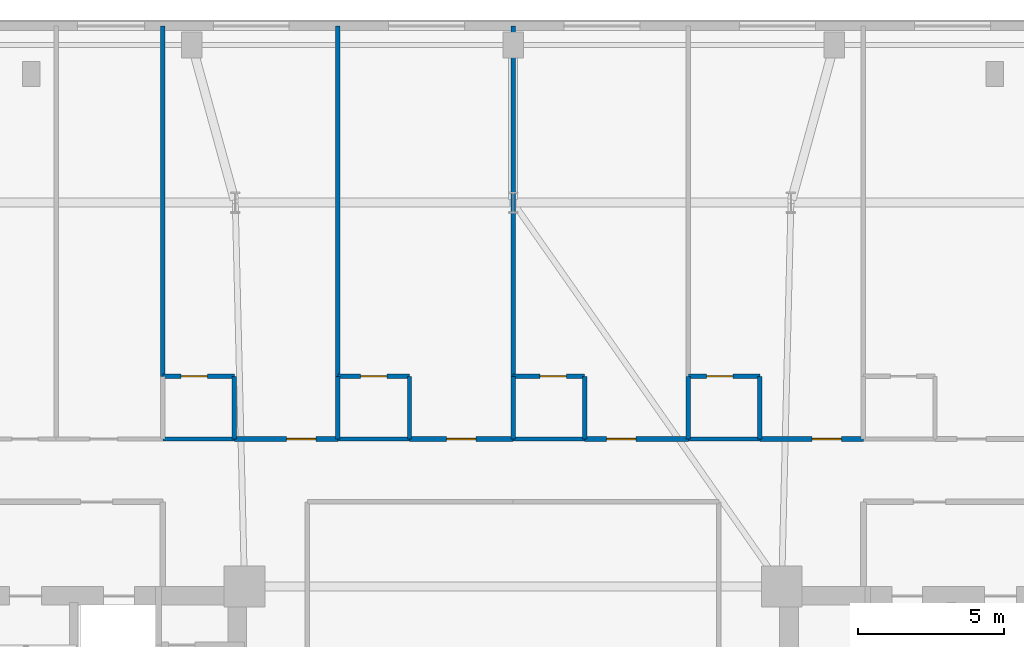
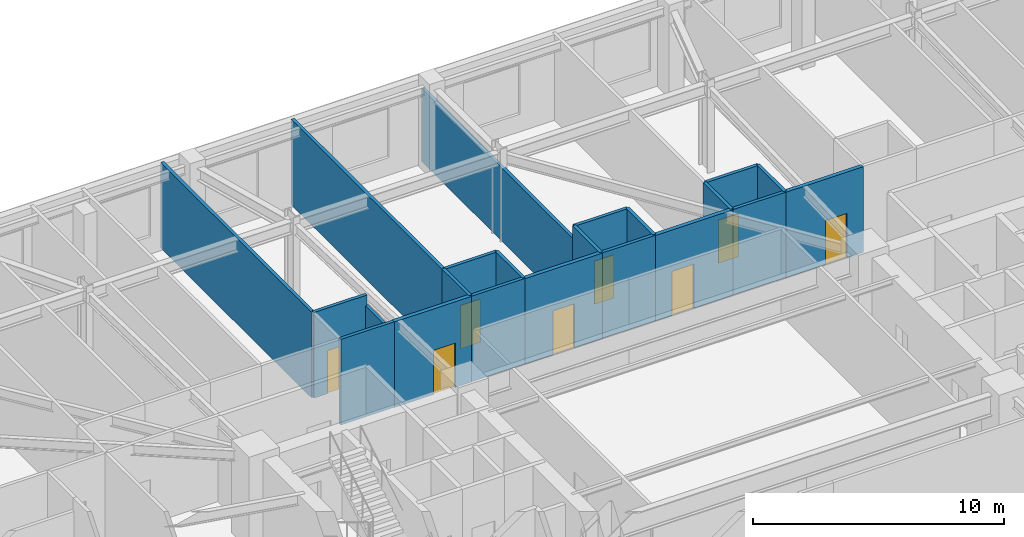
# One storey, part 15 of 21: 22 walls, 8 doors, 8 openings.
"""IFC4 building model written with IfcOpenShell, lengths in metres."""

from ifc_helpers import new_model, si_unit, direction, frame, frame_2d, origin, place, context, subcontext, project, spatial, rectangle, extrude, material, layer, layer_set, type_object, element, fill, save


model = new_model("IFC4")

# Units and contexts
model_context = context("Model", 3, precision=1e-05, world=origin(), true_north=direction((0.0, 1.0)))
body_context = subcontext(model_context, "Body", "Model", "MODEL_VIEW")
ifc_project = project(units=[si_unit("LENGTHUNIT", "METRE"), si_unit("AREAUNIT", "SQUARE_METRE"), si_unit("VOLUMEUNIT", "CUBIC_METRE"), si_unit("PLANEANGLEUNIT", "RADIAN"), si_unit("MASSUNIT", "GRAM", prefix="KILO")], contexts=[model_context])

# Site, building, storey
site_placement = place(None, origin())
site = spatial("IfcSite", under=ifc_project, at=site_placement, CompositionType="ELEMENT")
building_placement = place(site_placement, origin())
building = spatial("IfcBuilding", under=site, at=building_placement, Name="Qobustan Lattice House", CompositionType="ELEMENT")
storey_placement = place(building_placement, frame((0.0, 0.0, 22.5)))
storey = spatial("IfcBuildingStorey", under=building, at=storey_placement, Name="L05", CompositionType="ELEMENT", Elevation=22.5)

# Wall, opening, door
ifc_material_1 = material(Name="Gypsum fireboard acoustic partition", Category="gypsum")
ifc_layer_1 = layer(ifc_material_1, 0.179931640625)
ifc_layer_set_1 = layer_set([ifc_layer_1], Name="Gypsum fireboard acoustic partition")
wall_type_1 = type_object("IfcWallType", Name="WAL-FIRE-180", PredefinedType="PARTITIONING", material=ifc_layer_set_1)
wall_1_placement = place(storey_placement, frame((-9.550048828125, 10.64990234375, 0.0), z_axis=(0.0, 0.0, 1.0), x_axis=(1.0, 0.0, 0.0)))
wall_1 = element("IfcWall", 1, at=wall_1_placement, inside=storey, type_object=wall_type_1, Name="L05 interior partition 43", PredefinedType="PARTITIONING", context=body_context, shape_type="SweptSolid", body=[
    extrude(rectangle(XDim=3.550048828125, YDim=0.179931640625, at=frame_2d((1.77490234375, 0.0))), origin(), (0.0, 0.0, 1.0), 4.159912109375),
])
opening_1_placement = place(wall_1_placement, frame((1.79638671875, 0.0, 0.0)))
opening_1 = element("IfcOpeningElement", 2, at=opening_1_placement, cuts=wall_1, Name="Opening FD-02", PredefinedType="OPENING", context=body_context, shape_type="SweptSolid", body=[
    extrude(rectangle(XDim=1.0, YDim=2.14990234375, at=frame_2d((0.5, 1.074951171875))), frame((0.0, 0.099853515625, 0.0), z_axis=(0.0, -1.0, 0.0), x_axis=(1.0, 0.0, 0.0)), (0.0, 0.0, 1.0), 0.199951171875),
])
ifc_material_2 = material(Name="Persian walnut timber and steel frame door", Category="steel")
door_type_1 = type_object("IfcDoorType", Name="DOR-UNIT-FD-1000x2150", OperationType="NOTDEFINED", PredefinedType="DOOR", material=ifc_material_2)
door_1_placement = place(opening_1_placement, origin())
door_1 = element("IfcDoor", 3, at=door_1_placement, inside=storey, type_object=door_type_1, Name="L05 North-west podium corridor to Kitchenette and studio apartment L05-N3 door", OperationType="SINGLE_SWING_LEFT", OverallHeight=2.14990234375, OverallWidth=1.0, PredefinedType="DOOR", context=body_context, shape_type="SweptSolid", body=[
    extrude(rectangle(XDim=1.0, YDim=2.14990234375, at=frame_2d((0.5, 1.074951171875))), frame((0.0, 0.02490234375, 0.0), z_axis=(0.0, -1.0, 0.0), x_axis=(1.0, 0.0, 0.0)), (0.0, 0.0, 1.0), 0.050048828125),
])
fill(opening_1, door_1)

wall_2_placement = place(storey_placement, frame((-3.550048828125, 10.64990234375, 0.0), z_axis=(0.0, 0.0, 1.0), x_axis=(1.0, 0.0, 0.0)))
wall_2 = element("IfcWall", 4, at=wall_2_placement, inside=storey, type_object=wall_type_1, Name="L05 interior partition 45", PredefinedType="PARTITIONING", context=body_context, shape_type="SweptSolid", body=[
    extrude(rectangle(XDim=3.550048828125, YDim=0.179931640625, at=frame_2d((1.77490234375, 0.0))), origin(), (0.0, 0.0, 1.0), 4.159912109375),
])
opening_2_placement = place(wall_2_placement, frame((1.27490234375, 0.0, 0.0)))
opening_2 = element("IfcOpeningElement", 5, at=opening_2_placement, cuts=wall_2, Name="Opening FD-02", PredefinedType="OPENING", context=body_context, shape_type="SweptSolid", body=[
    extrude(rectangle(XDim=1.0, YDim=2.14990234375, at=frame_2d((0.5, 1.074951171875))), frame((0.0, 0.099853515625, 0.0), z_axis=(0.0, -1.0, 0.0), x_axis=(1.0, 0.0, 0.0)), (0.0, 0.0, 1.0), 0.199951171875),
])
door_2_placement = place(opening_2_placement, origin())
door_2 = element("IfcDoor", 6, at=door_2_placement, inside=storey, type_object=door_type_1, Name="L05 North-west podium corridor to Kitchenette and studio apartment L05-N4 door", OperationType="SINGLE_SWING_RIGHT", OverallHeight=2.14990234375, OverallWidth=1.0, PredefinedType="DOOR", context=body_context, shape_type="SweptSolid", body=[
    extrude(rectangle(XDim=1.0, YDim=2.14990234375, at=frame_2d((0.5, 1.074951171875))), frame((0.0, 0.02490234375, 0.0), z_axis=(0.0, -1.0, 0.0), x_axis=(1.0, 0.0, 0.0)), (0.0, 0.0, 1.0), 0.050048828125),
])
fill(opening_2, door_2)

wall_3_placement = place(storey_placement, frame((2.449951171875, 10.64990234375, 0.0), z_axis=(0.0, 0.0, 1.0), x_axis=(1.0, 0.0, 0.0)))
wall_3 = element("IfcWall", 7, at=wall_3_placement, inside=storey, type_object=wall_type_1, Name="L05 interior partition 50", PredefinedType="PARTITIONING", context=body_context, shape_type="SweptSolid", body=[
    extrude(rectangle(XDim=3.550048828125, YDim=0.179931640625, at=frame_2d((1.77490234375, 0.0))), origin(), (0.0, 0.0, 1.0), 4.159912109375),
])
opening_3_placement = place(wall_3_placement, frame((0.75390625, 0.0, 0.0)))
opening_3 = element("IfcOpeningElement", 8, at=opening_3_placement, cuts=wall_3, Name="Opening FD-02", PredefinedType="OPENING", context=body_context, shape_type="SweptSolid", body=[
    extrude(rectangle(XDim=1.0, YDim=2.14990234375, at=frame_2d((0.5, 1.074951171875))), frame((0.0, 0.099853515625, 0.0), z_axis=(0.0, -1.0, 0.0), x_axis=(1.0, 0.0, 0.0)), (0.0, 0.0, 1.0), 0.199951171875),
])
door_3_placement = place(opening_3_placement, origin())
door_3 = element("IfcDoor", 9, at=door_3_placement, inside=storey, type_object=door_type_1, Name="L05 North-east podium corridor to Kitchenette and studio apartment L05-N5 door", OperationType="SINGLE_SWING_LEFT", OverallHeight=2.14990234375, OverallWidth=1.0, PredefinedType="DOOR", context=body_context, shape_type="SweptSolid", body=[
    extrude(rectangle(XDim=1.0, YDim=2.14990234375, at=frame_2d((0.5, 1.074951171875))), frame((0.0, 0.02490234375, 0.0), z_axis=(0.0, -1.0, 0.0), x_axis=(1.0, 0.0, 0.0)), (0.0, 0.0, 1.0), 0.050048828125),
])
fill(opening_3, door_3)

wall_4_placement = place(storey_placement, frame((8.449951171875, 10.64990234375, 0.0), z_axis=(0.0, 0.0, 1.0), x_axis=(1.0, 0.0, 0.0)))
wall_4 = element("IfcWall", 10, at=wall_4_placement, inside=storey, type_object=wall_type_1, Name="L05 interior partition 52", PredefinedType="PARTITIONING", context=body_context, shape_type="SweptSolid", body=[
    extrude(rectangle(XDim=3.550048828125, YDim=0.179931640625, at=frame_2d((1.77490234375, 0.0))), origin(), (0.0, 0.0, 1.0), 4.159912109375),
])
opening_4_placement = place(wall_4_placement, frame((1.79638671875, 0.0, 0.0)))
opening_4 = element("IfcOpeningElement", 11, at=opening_4_placement, cuts=wall_4, Name="Opening FD-02", PredefinedType="OPENING", context=body_context, shape_type="SweptSolid", body=[
    extrude(rectangle(XDim=1.0, YDim=2.14990234375, at=frame_2d((0.5, 1.074951171875))), frame((0.0, 0.099853515625, 0.0), z_axis=(0.0, -1.0, 0.0), x_axis=(1.0, 0.0, 0.0)), (0.0, 0.0, 1.0), 0.199951171875),
])
door_4_placement = place(opening_4_placement, origin())
door_4 = element("IfcDoor", 12, at=door_4_placement, inside=storey, type_object=door_type_1, Name="L05 North-east podium corridor to Kitchenette and studio apartment L05-N6 door", OperationType="SINGLE_SWING_RIGHT", OverallHeight=2.14990234375, OverallWidth=1.0, PredefinedType="DOOR", context=body_context, shape_type="SweptSolid", body=[
    extrude(rectangle(XDim=1.0, YDim=2.14990234375, at=frame_2d((0.5, 1.074951171875))), frame((0.0, 0.02490234375, 0.0), z_axis=(0.0, -1.0, 0.0), x_axis=(1.0, 0.0, 0.0)), (0.0, 0.0, 1.0), 0.050048828125),
])
fill(opening_4, door_4)

# Walls
ifc_material_3 = material(Name="Acoustic twin-stud gypsum partition", Category="gypsum")
ifc_layer_2 = layer(ifc_material_3, 0.14990234375)
ifc_layer_set_2 = layer_set([ifc_layer_2], Name="Acoustic twin-stud gypsum partition")
wall_type_2 = type_object("IfcWallType", Name="WAL-PART-150", PredefinedType="PARTITIONING", material=ifc_layer_set_2)
for number, where, z_axis, x_axis, name in (
    (13, (-12.0, 24.800048828125, 0.0), (0.0, 0.0, 1.0), (0.0, -1.0, 0.0), "L05 interior partition 125"),
    (14, (-6.0, 24.800048828125, 0.0), (0.0, 0.0, 1.0), (0.0, -1.0, 0.0), "L05 interior partition 129"),
):
    element("IfcWall", number, at=place(storey_placement, frame(where, z_axis=z_axis, x_axis=x_axis)), inside=storey, type_object=wall_type_2, Name=name, PredefinedType="PARTITIONING", context=body_context, shape_type="SweptSolid", body=[
        extrude(rectangle(XDim=12.0, YDim=0.14990234375, at=frame_2d((6.0, 0.0))), origin(), (0.0, 0.0, 1.0), 4.159912109375),
    ])
wall_5_placement = place(storey_placement, frame((0.0, 24.800048828125, 0.0), z_axis=(0.0, 0.0, 1.0), x_axis=(0.0, -1.0, 0.0)))
element("IfcWall", 15, at=wall_5_placement, inside=storey, type_object=wall_type_2, Name="L05 interior partition 133", PredefinedType="PARTITIONING", context=body_context, shape_type="SweptSolid", body=[
    extrude(rectangle(XDim=12.0, YDim=0.14990234375, at=frame_2d((6.0, 0.0))), origin(), (0.0, 0.0, 1.0), 3.544921875),
])
ifc_material_4 = material(Name="Moisture-resistant acoustic plumbing wall", Category="gypsum")
ifc_layer_3 = layer(ifc_material_4, 0.14990234375)
ifc_layer_set_3 = layer_set([ifc_layer_3], Name="Moisture-resistant acoustic plumbing wall")
wall_type_3 = type_object("IfcWallType", Name="WAL-WET-150", PredefinedType="PLUMBINGWALL", material=ifc_layer_set_3)
for number, where, z_axis, x_axis, name in (
    (16, (-12.0, 10.64990234375, 0.0), (0.0, 0.0, 1.0), (1.0, 0.0, 0.0), "L05 interior partition 44"),
    (17, (-6.0, 10.64990234375, 0.0), (0.0, 0.0, 1.0), (1.0, 0.0, 0.0), "L05 interior partition 46"),
    (18, (0.0, 10.64990234375, 0.0), (0.0, 0.0, 1.0), (1.0, 0.0, 0.0), "L05 interior partition 51"),
    (19, (6.0, 10.64990234375, 0.0), (0.0, 0.0, 1.0), (1.0, 0.0, 0.0), "L05 interior partition 53"),
):
    element("IfcWall", number, at=place(storey_placement, frame(where, z_axis=z_axis, x_axis=x_axis)), inside=storey, type_object=wall_type_3, Name=name, PredefinedType="PLUMBINGWALL", context=body_context, shape_type="SweptSolid", body=[
        extrude(rectangle(XDim=2.449951171875, YDim=0.14990234375, at=frame_2d((1.22509765625, 0.0))), origin(), (0.0, 0.0, 1.0), 4.159912109375),
    ])

# Wall, opening, door
wall_6_placement = place(storey_placement, frame((-9.550048828125, 12.800048828125, 0.0), z_axis=(0.0, 0.0, 1.0), x_axis=(-1.0, 0.0, 0.0)))
wall_6 = element("IfcWall", 20, at=wall_6_placement, inside=storey, type_object=wall_type_3, Name="L05 interior partition 127", PredefinedType="PLUMBINGWALL", context=body_context, shape_type="SweptSolid", body=[
    extrude(rectangle(XDim=2.449951171875, YDim=0.14990234375, at=frame_2d((1.22509765625, 0.0))), origin(), (0.0, 0.0, 1.0), 4.159912109375),
])
opening_5_placement = place(wall_6_placement, frame((0.921142578125, 0.0, 0.0)))
opening_5 = element("IfcOpeningElement", 21, at=opening_5_placement, cuts=wall_6, Name="Opening WD-01", PredefinedType="OPENING", context=body_context, shape_type="SweptSolid", body=[
    extrude(rectangle(XDim=0.89990234375, YDim=2.10009765625, at=frame_2d((0.449951171875, 1.050048828125))), frame((0.0, 0.0849609375, 0.0), z_axis=(0.0, -1.0, 0.0), x_axis=(1.0, 0.0, 0.0)), (0.0, 0.0, 1.0), 0.169921875),
])
ifc_material_5 = material(Name="Persian walnut timber and steel frame door", Category="steel")
door_type_2 = type_object("IfcDoorType", Name="DOR-WET-900x2100", OperationType="NOTDEFINED", PredefinedType="DOOR", material=ifc_material_5)
door_5_placement = place(opening_5_placement, origin())
door_5 = element("IfcDoor", 22, at=door_5_placement, inside=storey, type_object=door_type_2, Name="L05 Kitchenette and studio apartment L05-N3 to En-suite bathroom L05-N3 door", OperationType="SINGLE_SWING_RIGHT", OverallHeight=2.10009765625, OverallWidth=0.89990234375, PredefinedType="DOOR", context=body_context, shape_type="SweptSolid", body=[
    extrude(rectangle(XDim=0.89990234375, YDim=2.10009765625, at=frame_2d((0.449951171875, 1.050048828125))), frame((0.0, 0.02490234375, 0.0), z_axis=(0.0, -1.0, 0.0), x_axis=(1.0, 0.0, 0.0)), (0.0, 0.0, 1.0), 0.050048828125),
])
fill(opening_5, door_5)

# Walls
wall_7_placement = place(storey_placement, frame((-9.550048828125, 10.64990234375, 0.0), z_axis=(0.0, 0.0, 1.0), x_axis=(0.0, 1.0, 0.0)))
element("IfcWall", 23, at=wall_7_placement, inside=storey, type_object=wall_type_3, Name="L05 interior partition 128", PredefinedType="PLUMBINGWALL", context=body_context, shape_type="SweptSolid", body=[
    extrude(rectangle(XDim=2.150146484375, YDim=0.14990234375, at=frame_2d((1.0751953125, 0.0))), origin(), (0.0, 0.0, 1.0), 3.64501953125),
])
wall_8_placement = place(storey_placement, frame((-6.0, 12.800048828125, 0.0), z_axis=(0.0, 0.0, 1.0), x_axis=(0.0, -1.0, 0.0)))
element("IfcWall", 24, at=wall_8_placement, inside=storey, type_object=wall_type_3, Name="L05 interior partition 130", PredefinedType="PLUMBINGWALL", context=body_context, shape_type="SweptSolid", body=[
    extrude(rectangle(XDim=2.150146484375, YDim=0.14990234375, at=frame_2d((1.0751953125, 0.0))), origin(), (0.0, 0.0, 1.0), 4.159912109375),
])

# Wall, opening, door
wall_9_placement = place(storey_placement, frame((-3.550048828125, 12.800048828125, 0.0), z_axis=(0.0, 0.0, 1.0), x_axis=(-1.0, 0.0, 0.0)))
wall_9 = element("IfcWall", 25, at=wall_9_placement, inside=storey, type_object=wall_type_3, Name="L05 interior partition 131", PredefinedType="PLUMBINGWALL", context=body_context, shape_type="SweptSolid", body=[
    extrude(rectangle(XDim=2.449951171875, YDim=0.14990234375, at=frame_2d((1.22509765625, 0.0))), origin(), (0.0, 0.0, 1.0), 4.159912109375),
])
opening_6_placement = place(wall_9_placement, frame((0.77490234375, 0.0, 0.0)))
opening_6 = element("IfcOpeningElement", 26, at=opening_6_placement, cuts=wall_9, Name="Opening WD-01", PredefinedType="OPENING", context=body_context, shape_type="SweptSolid", body=[
    extrude(rectangle(XDim=0.89990234375, YDim=2.10009765625, at=frame_2d((0.449951171875, 1.050048828125))), frame((0.0, 0.0849609375, 0.0), z_axis=(0.0, -1.0, 0.0), x_axis=(1.0, 0.0, 0.0)), (0.0, 0.0, 1.0), 0.169921875),
])
door_6_placement = place(opening_6_placement, origin())
door_6 = element("IfcDoor", 27, at=door_6_placement, inside=storey, type_object=door_type_2, Name="L05 Kitchenette and studio apartment L05-N4 to En-suite bathroom L05-N4 door", OperationType="SINGLE_SWING_LEFT", OverallHeight=2.10009765625, OverallWidth=0.89990234375, PredefinedType="DOOR", context=body_context, shape_type="SweptSolid", body=[
    extrude(rectangle(XDim=0.89990234375, YDim=2.10009765625, at=frame_2d((0.449951171875, 1.050048828125))), frame((0.0, 0.02490234375, 0.0), z_axis=(0.0, -1.0, 0.0), x_axis=(1.0, 0.0, 0.0)), (0.0, 0.0, 1.0), 0.050048828125),
])
fill(opening_6, door_6)

# Walls
for number, where, z_axis, x_axis, name in (
    (28, (-3.550048828125, 10.64990234375, 0.0), (0.0, 0.0, 1.0), (0.0, 1.0, 0.0), "L05 interior partition 132"),
    (29, (0.0, 12.800048828125, 0.0), (0.0, 0.0, 1.0), (0.0, -1.0, 0.0), "L05 interior partition 134"),
):
    element("IfcWall", number, at=place(storey_placement, frame(where, z_axis=z_axis, x_axis=x_axis)), inside=storey, type_object=wall_type_3, Name=name, PredefinedType="PLUMBINGWALL", context=body_context, shape_type="SweptSolid", body=[
        extrude(rectangle(XDim=2.150146484375, YDim=0.14990234375, at=frame_2d((1.0751953125, 0.0))), origin(), (0.0, 0.0, 1.0), 4.159912109375),
    ])

# Wall, opening, door
wall_10_placement = place(storey_placement, frame((2.449951171875, 12.800048828125, 0.0), z_axis=(0.0, 0.0, 1.0), x_axis=(-1.0, 0.0, 0.0)))
wall_10 = element("IfcWall", 30, at=wall_10_placement, inside=storey, type_object=wall_type_3, Name="L05 interior partition 135", PredefinedType="PLUMBINGWALL", context=body_context, shape_type="SweptSolid", body=[
    extrude(rectangle(XDim=2.449951171875, YDim=0.14990234375, at=frame_2d((1.22509765625, 0.0))), origin(), (0.0, 0.0, 1.0), 4.159912109375),
])
opening_7_placement = place(wall_10_placement, frame((0.62890625, 0.0, 0.0)))
opening_7 = element("IfcOpeningElement", 31, at=opening_7_placement, cuts=wall_10, Name="Opening WD-01", PredefinedType="OPENING", context=body_context, shape_type="SweptSolid", body=[
    extrude(rectangle(XDim=0.89990234375, YDim=2.10009765625, at=frame_2d((0.449951171875, 1.050048828125))), frame((0.0, 0.0849609375, 0.0), z_axis=(0.0, -1.0, 0.0), x_axis=(1.0, 0.0, 0.0)), (0.0, 0.0, 1.0), 0.169921875),
])
door_7_placement = place(opening_7_placement, origin())
door_7 = element("IfcDoor", 32, at=door_7_placement, inside=storey, type_object=door_type_2, Name="L05 Kitchenette and studio apartment L05-N5 to En-suite bathroom L05-N5 door", OperationType="SINGLE_SWING_RIGHT", OverallHeight=2.10009765625, OverallWidth=0.89990234375, PredefinedType="DOOR", context=body_context, shape_type="SweptSolid", body=[
    extrude(rectangle(XDim=0.89990234375, YDim=2.10009765625, at=frame_2d((0.449951171875, 1.050048828125))), frame((0.0, 0.02490234375, 0.0), z_axis=(0.0, -1.0, 0.0), x_axis=(1.0, 0.0, 0.0)), (0.0, 0.0, 1.0), 0.050048828125),
])
fill(opening_7, door_7)

# Walls
for number, where, z_axis, x_axis, name in (
    (33, (2.449951171875, 10.64990234375, 0.0), (0.0, 0.0, 1.0), (0.0, 1.0, 0.0), "L05 interior partition 136"),
    (34, (6.0, 12.800048828125, 0.0), (0.0, 0.0, 1.0), (0.0, -1.0, 0.0), "L05 interior partition 138"),
):
    element("IfcWall", number, at=place(storey_placement, frame(where, z_axis=z_axis, x_axis=x_axis)), inside=storey, type_object=wall_type_3, Name=name, PredefinedType="PLUMBINGWALL", context=body_context, shape_type="SweptSolid", body=[
        extrude(rectangle(XDim=2.150146484375, YDim=0.14990234375, at=frame_2d((1.0751953125, 0.0))), origin(), (0.0, 0.0, 1.0), 4.159912109375),
    ])

# Wall, opening, door
wall_11_placement = place(storey_placement, frame((8.449951171875, 12.800048828125, 0.0), z_axis=(0.0, 0.0, 1.0), x_axis=(-1.0, 0.0, 0.0)))
wall_11 = element("IfcWall", 35, at=wall_11_placement, inside=storey, type_object=wall_type_3, Name="L05 interior partition 139", PredefinedType="PLUMBINGWALL", context=body_context, shape_type="SweptSolid", body=[
    extrude(rectangle(XDim=2.449951171875, YDim=0.14990234375, at=frame_2d((1.22509765625, 0.0))), origin(), (0.0, 0.0, 1.0), 4.159912109375),
])
opening_8_placement = place(wall_11_placement, frame((0.921142578125, 0.0, 0.0)))
opening_8 = element("IfcOpeningElement", 36, at=opening_8_placement, cuts=wall_11, Name="Opening WD-01", PredefinedType="OPENING", context=body_context, shape_type="SweptSolid", body=[
    extrude(rectangle(XDim=0.89990234375, YDim=2.10009765625, at=frame_2d((0.449951171875, 1.050048828125))), frame((0.0, 0.0849609375, 0.0), z_axis=(0.0, -1.0, 0.0), x_axis=(1.0, 0.0, 0.0)), (0.0, 0.0, 1.0), 0.169921875),
])
door_8_placement = place(opening_8_placement, origin())
door_8 = element("IfcDoor", 37, at=door_8_placement, inside=storey, type_object=door_type_2, Name="L05 Kitchenette and studio apartment L05-N6 to En-suite bathroom L05-N6 door", OperationType="SINGLE_SWING_LEFT", OverallHeight=2.10009765625, OverallWidth=0.89990234375, PredefinedType="DOOR", context=body_context, shape_type="SweptSolid", body=[
    extrude(rectangle(XDim=0.89990234375, YDim=2.10009765625, at=frame_2d((0.449951171875, 1.050048828125))), frame((0.0, 0.02490234375, 0.0), z_axis=(0.0, -1.0, 0.0), x_axis=(1.0, 0.0, 0.0)), (0.0, 0.0, 1.0), 0.050048828125),
])
fill(opening_8, door_8)

# Wall
wall_12_placement = place(storey_placement, frame((8.449951171875, 10.64990234375, 0.0), z_axis=(0.0, 0.0, 1.0), x_axis=(0.0, 1.0, 0.0)))
element("IfcWall", 38, at=wall_12_placement, inside=storey, type_object=wall_type_3, Name="L05 interior partition 140", PredefinedType="PLUMBINGWALL", context=body_context, shape_type="SweptSolid", body=[
    extrude(rectangle(XDim=2.150146484375, YDim=0.14990234375, at=frame_2d((1.0751953125, 0.0))), origin(), (0.0, 0.0, 1.0), 4.159912109375),
])

save(model, "model.ifc")
